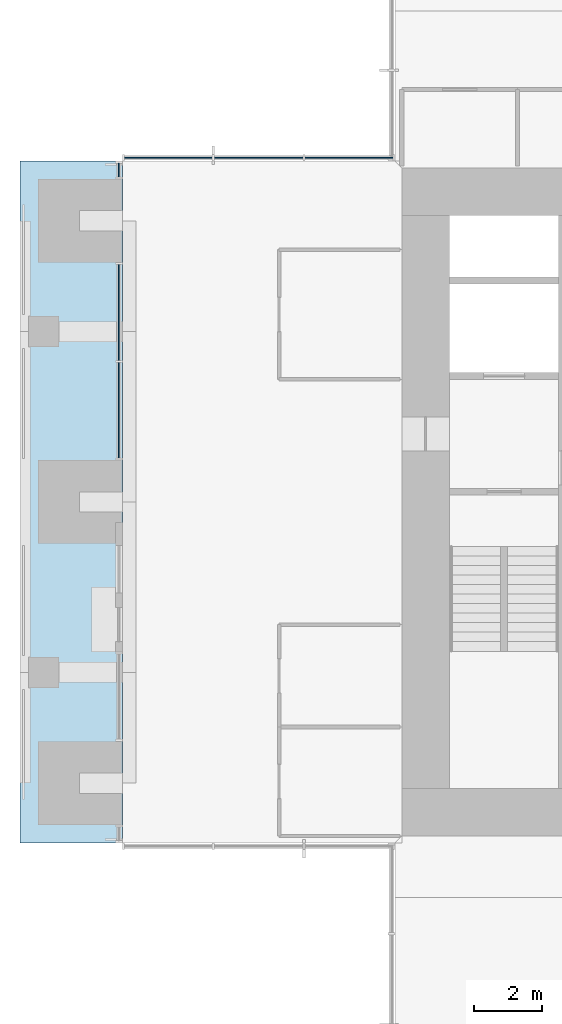
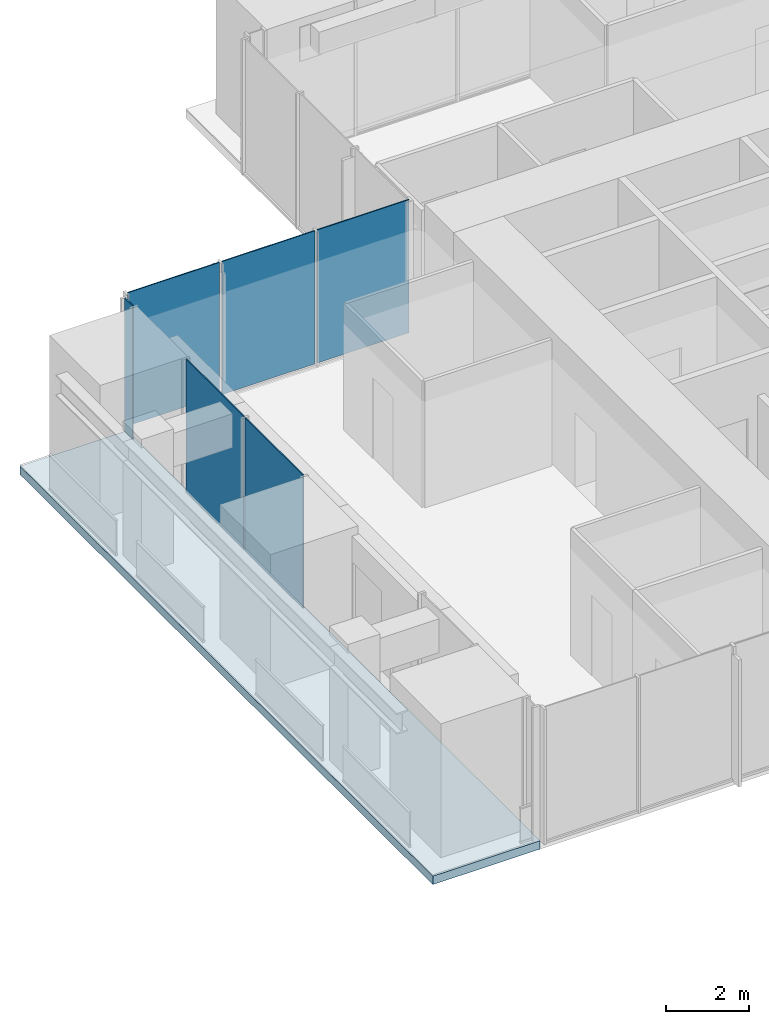
# One storey, part 8 of 17: 6 plates, 1 slab, 3 elements without a shape of their own.
"""IFC4 building model written with IfcOpenShell, lengths in metres."""

from ifc_helpers import new_model, si_unit, direction, frame, origin, origin_2d, place, context, subcontext, project, spatial, polyline, rectangle, outline, extrude, material, layer, layer_set, type_object, element, aggregate, save


model = new_model("IFC4")

# Units and contexts
model_context = context("Model", 3, precision=1e-05, world=origin(), true_north=direction((0.0, 1.0)))
body_context = subcontext(model_context, "Body", "Model", "MODEL_VIEW")
ifc_project = project(units=[si_unit("LENGTHUNIT", "METRE"), si_unit("AREAUNIT", "SQUARE_METRE"), si_unit("VOLUMEUNIT", "CUBIC_METRE"), si_unit("PLANEANGLEUNIT", "RADIAN"), si_unit("MASSUNIT", "GRAM", prefix="KILO")], contexts=[model_context])

# Site, building, storey
site_placement = place(None, origin())
site = spatial("IfcSite", under=ifc_project, at=site_placement, CompositionType="ELEMENT")
building_placement = place(site_placement, origin())
building = spatial("IfcBuilding", under=site, at=building_placement, Name="Svetlomir Tower", CompositionType="ELEMENT")
storey_placement = place(building_placement, frame((0.0, 0.0, 218.5)))
storey = spatial("IfcBuildingStorey", under=building, at=storey_placement, Name="L52", CompositionType="ELEMENT", Elevation=218.5)

# Curtain wall, plates
ifc_material_1 = material(Name="Bronze anodised aluminium curtain wall", Category="aluminium")
curtain_wall_type = type_object("IfcCurtainWallType", Name="CURTAIN WALL CW1 TOWER OFFICE", PredefinedType="NOTDEFINED", material=ifc_material_1)
curtain_wall_1_placement = place(storey_placement, origin())
curtain_wall_1 = element("IfcCurtainWall", 1, at=curtain_wall_1_placement, inside=storey, type_object=curtain_wall_type, Name="Curtain wall CW1 L52", PredefinedType="NOTDEFINED")
ifc_material_2 = material(Name="Tinted double glazed unit", Category="glass")
ifc_layer_1 = layer(ifc_material_2, 0.031982421875)
ifc_layer_set_1 = layer_set([ifc_layer_1], Name="Tinted double glazed unit")
plate_type = type_object("IfcPlateType", Name="CW1 GLAZED PANEL 32", PredefinedType="CURTAIN_PANEL", material=ifc_layer_set_1)
plate_1_placement = place(storey_placement, frame((9.650390625, 31.10009765625, 0.06494140625), z_axis=(0.0, 0.0, 1.0), x_axis=(-1.0, 0.0, 0.0)))
plate_1 = element("IfcPlate", 2, at=plate_1_placement, type_object=plate_type, Name="CW1 panel 1.1", PredefinedType="CURTAIN_PANEL", context=body_context, shape_type="SweptSolid", body=[
    extrude(rectangle(XDim=2.569091796875, YDim=0.031982421875, at=origin_2d()), origin(), (0.0, 0.0, 1.0), 3.93505859375),
])
plate_2_placement = place(storey_placement, frame((7.0, 31.10009765625, 0.06494140625), z_axis=(0.0, 0.0, 1.0), x_axis=(-1.0, 0.0, 0.0)))
plate_2 = element("IfcPlate", 3, at=plate_2_placement, type_object=plate_type, Name="CW1 panel 2.1", PredefinedType="CURTAIN_PANEL", context=body_context, shape_type="SweptSolid", body=[
    extrude(rectangle(XDim=2.6015625, YDim=0.031982421875, at=origin_2d()), origin(), (0.0, 0.0, 1.0), 3.93505859375),
])
plate_3_placement = place(storey_placement, frame((4.349609375, 31.10009765625, 0.06494140625), z_axis=(0.0, 0.0, 1.0), x_axis=(-1.0, 0.0, 0.0)))
plate_3 = element("IfcPlate", 4, at=plate_3_placement, type_object=plate_type, Name="CW1 panel 3.1", PredefinedType="CURTAIN_PANEL", context=body_context, shape_type="SweptSolid", body=[
    extrude(rectangle(XDim=2.569091796875, YDim=0.031982421875, at=origin_2d()), origin(), (0.0, 0.0, 1.0), 3.93505859375),
])
aggregate(curtain_wall_1, [plate_1, plate_2, plate_3])

# Curtain wall, plate
curtain_wall_2_placement = place(storey_placement, origin())
curtain_wall_2 = element("IfcCurtainWall", 5, at=curtain_wall_2_placement, inside=storey, type_object=curtain_wall_type, Name="Curtain wall CW1 L52", PredefinedType="NOTDEFINED")
plate_4_placement = place(storey_placement, frame((2.89990234375, 30.737548828125, 0.06494140625), z_axis=(0.0, 0.0, 1.0), x_axis=(0.0, -1.0, 0.0)))
plate_4 = element("IfcPlate", 6, at=plate_4_placement, type_object=plate_type, Name="CW1 panel 1.1", PredefinedType="CURTAIN_PANEL", context=body_context, shape_type="SweptSolid", body=[
    extrude(rectangle(XDim=0.39501953125, YDim=0.031982421875, at=origin_2d()), origin(), (0.0, 0.0, 1.0), 3.93505859375),
])
aggregate(curtain_wall_2, [plate_4])

# Curtain wall, plates
curtain_wall_3_placement = place(storey_placement, origin())
curtain_wall_3 = element("IfcCurtainWall", 7, at=curtain_wall_3_placement, inside=storey, type_object=curtain_wall_type, Name="Curtain wall CW1 L52", PredefinedType="NOTDEFINED")
plate_5_placement = place(storey_placement, frame((2.89990234375, 26.558837890625, 0.06494140625), z_axis=(0.0, 0.0, 1.0), x_axis=(0.0, -1.0, 0.0)))
plate_5 = element("IfcPlate", 8, at=plate_5_placement, type_object=plate_type, Name="CW1 panel 1.1", PredefinedType="CURTAIN_PANEL", context=body_context, shape_type="SweptSolid", body=[
    extrude(rectangle(XDim=2.802490234375, YDim=0.031982421875, at=origin_2d()), origin(), (0.0, 0.0, 1.0), 3.93505859375),
])
plate_6_placement = place(storey_placement, frame((2.89990234375, 23.691162109375, 0.06494140625), z_axis=(0.0, 0.0, 1.0), x_axis=(0.0, -1.0, 0.0)))
plate_6 = element("IfcPlate", 9, at=plate_6_placement, type_object=plate_type, Name="CW1 panel 2.1", PredefinedType="CURTAIN_PANEL", context=body_context, shape_type="SweptSolid", body=[
    extrude(rectangle(XDim=2.802490234375, YDim=0.031982421875, at=origin_2d()), origin(), (0.0, 0.0, 1.0), 3.93505859375),
])
aggregate(curtain_wall_3, [plate_5, plate_6])

# Slab
ifc_material_3 = material(Name="Concrete C60/75", Category="concrete")
ifc_layer_2 = layer(ifc_material_3, 0.25)
ifc_layer_set_2 = layer_set([ifc_layer_2], Name="Concrete C60/75")
slab_type = type_object("IfcSlabType", Name="PLANTED LOGGIA SLAB 250", PredefinedType="FLOOR", material=ifc_layer_set_2)
slab_placement = place(storey_placement, frame((0.0, 0.0, -0.25)))
element("IfcSlab", 10, at=slab_placement, inside=storey, type_object=slab_type, Name="L52 W planted loggia", PredefinedType="FLOOR", context=body_context, shape_type="SweptSolid", body=[
    extrude(outline(polyline([(0.0, 11.0), (3.0, 11.0), (3.0, 31.0), (0.0, 31.0), (0.0, 11.0)])), origin(), (0.0, 0.0, 1.0), 0.25),
])

save(model, "model.ifc")
